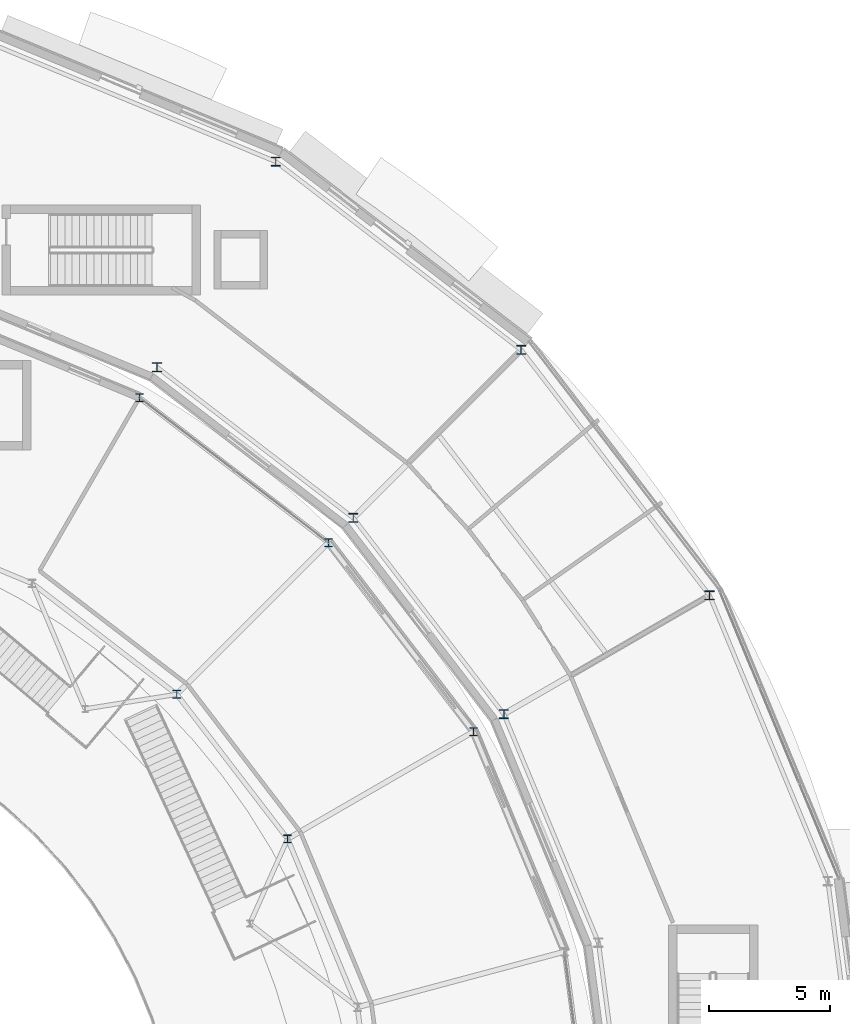
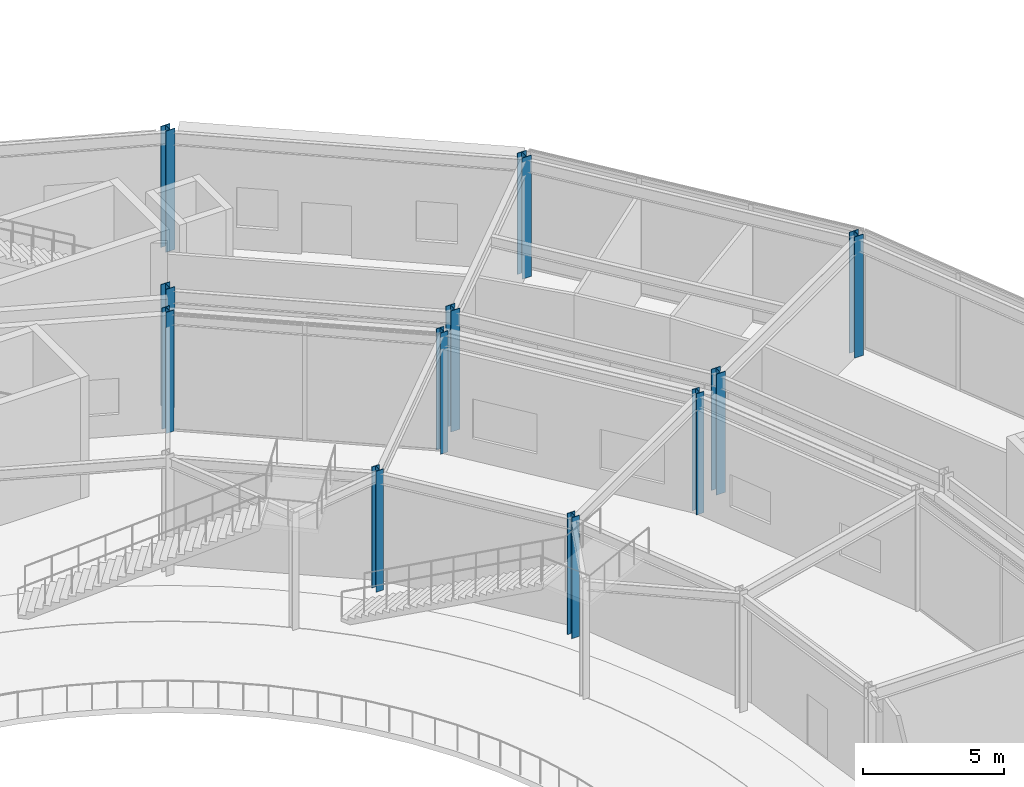
# One storey, part 13 of 168: 11 columns.
"""IFC4 building model written with IfcOpenShell, lengths in metres."""

from ifc_helpers import new_model, si_unit, direction, frame, origin, origin_2d, place, context, subcontext, project, spatial, i_section, extrude, material, material_profile, profile_set, type_object, element, save


model = new_model("IFC4")

# Units and contexts
model_context = context("Model", 3, precision=1e-05, world=origin(), true_north=direction((0.0, 1.0)))
body_context = subcontext(model_context, "Body", "Model", "MODEL_VIEW")
ifc_project = project(units=[si_unit("LENGTHUNIT", "METRE"), si_unit("AREAUNIT", "SQUARE_METRE"), si_unit("VOLUMEUNIT", "CUBIC_METRE"), si_unit("PLANEANGLEUNIT", "RADIAN"), si_unit("MASSUNIT", "GRAM", prefix="KILO")], contexts=[model_context])

# Site, building, storey
site_placement = place(None, origin())
site = spatial("IfcSite", under=ifc_project, at=site_placement, CompositionType="ELEMENT")
building_placement = place(site_placement, origin())
building = spatial("IfcBuilding", under=site, at=building_placement, Name="Almandine Court Research Institute", CompositionType="ELEMENT")
storey_placement = place(building_placement, origin())
storey = spatial("IfcBuildingStorey", under=building, at=storey_placement, Name="L00", CompositionType="ELEMENT", Elevation=0.0)

# Columns
ifc_material = material(Name="Steel ASTM A992 Grade 50", Category="steel")
ifc_material_profile_1 = material_profile(ifc_material, i_section(OverallWidth=0.373046875, OverallDepth=0.367919921875, WebThickness=0.01708984375, FlangeThickness=0.027099609375, at=origin_2d()), Name="W360x179")
ifc_profile_set_1 = profile_set([ifc_material_profile_1], Name="Steel ASTM A992 Grade 50")
column_type_1 = type_object("IfcColumnType", Name="Col-C-W03-E", PredefinedType="COLUMN", material=ifc_profile_set_1)
for number, where, z_axis, x_axis, name in (
    (1, (120.862060546875, 75.550048828125, 0.0), (0.0, 0.0, 1.0), (1.0, 0.0, 0.0), "L00 V5 Column V5-IN-S02"),
    (2, (129.34912109375, 80.449951171875, 0.0), (0.0, 0.0, 1.0), (1.0, 0.0, 0.0), "L00 V5 Column V5-OUT-S02"),
    (3, (114.64794921875, 83.64794921875, 0.0), (0.0, 0.0, 1.0), (1.0, 0.0, 0.0), "L00 V5 Column V5-IN-S03"),
    (4, (121.577880859375, 90.577880859375, 0.0), (0.0, 0.0, 1.0), (1.0, 0.0, 0.0), "L00 V5 Column V5-OUT-S03"),
    (5, (106.550048828125, 89.862060546875, 0.0), (0.0, 0.0, 1.0), (1.0, 0.0, 0.0), "L00 V5 Column V5-IN-S04"),
    (6, (111.449951171875, 98.34912109375, 0.0), (0.0, 0.0, 1.0), (1.0, 0.0, 0.0), "L00 V5 Column V5-OUT-S04"),
):
    element("IfcColumn", number, at=place(storey_placement, frame(where, z_axis=z_axis, x_axis=x_axis)), inside=storey, type_object=column_type_1, Name=name, PredefinedType="COLUMN", context=body_context, shape_type="SweptSolid", body=[
        extrude(i_section(OverallWidth=0.373046875, OverallDepth=0.367919921875, WebThickness=0.01708984375, FlangeThickness=0.027099609375, at=origin_2d()), origin(), (0.0, 0.0, 1.0), 5.25),
    ])
ifc_material_profile_2 = material_profile(ifc_material, i_section(OverallWidth=0.31005859375, OverallDepth=0.326904296875, WebThickness=0.01611328125, FlangeThickness=0.02490234375, at=origin_2d()), Name="W310x158")
ifc_profile_set_2 = profile_set([ifc_material_profile_2], Name="Steel ASTM A992 Grade 50")
column_type_2 = type_object("IfcColumnType", Name="Col-C-W06", PredefinedType="COLUMN", material=ifc_profile_set_2)
for number, where, z_axis, x_axis, name in (
    (7, (119.60595703125, 74.824951171875, 0.0), (0.0, 0.0, 1.0), (1.0, 0.0, 0.0), "L00 V2 Column V2-OUT-S02"),
    (8, (113.623046875, 82.623046875, 0.0), (0.0, 0.0, 1.0), (1.0, 0.0, 0.0), "L00 V2 Column V2-OUT-S03"),
    (9, (105.824951171875, 88.60595703125, 0.0), (0.0, 0.0, 1.0), (1.0, 0.0, 0.0), "L00 V2 Column V2-OUT-S04"),
    (10, (111.94189453125, 70.39990234375, 0.0), (0.0, 0.0, 1.0), (1.0, 0.0, 0.0), "L00 V2 Column V2-MID-S02"),
    (11, (107.364990234375, 76.364990234375, 0.0), (0.0, 0.0, 1.0), (1.0, 0.0, 0.0), "L00 V2 Column V2-MID-S03"),
):
    element("IfcColumn", number, at=place(storey_placement, frame(where, z_axis=z_axis, x_axis=x_axis)), inside=storey, type_object=column_type_2, Name=name, PredefinedType="COLUMN", context=body_context, shape_type="SweptSolid", body=[
        extrude(i_section(OverallWidth=0.31005859375, OverallDepth=0.326904296875, WebThickness=0.01611328125, FlangeThickness=0.02490234375, at=origin_2d()), origin(), (0.0, 0.0, 1.0), 5.25),
    ])

save(model, "model.ifc")
